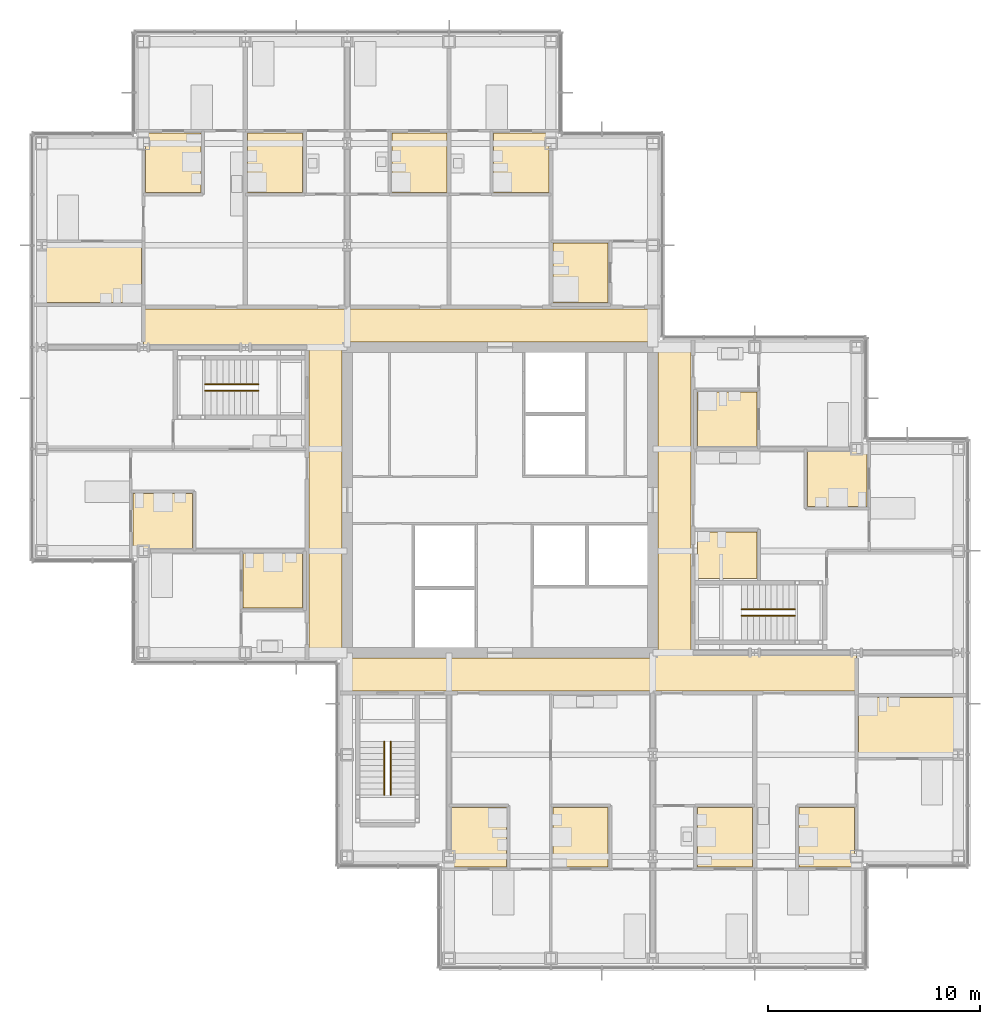
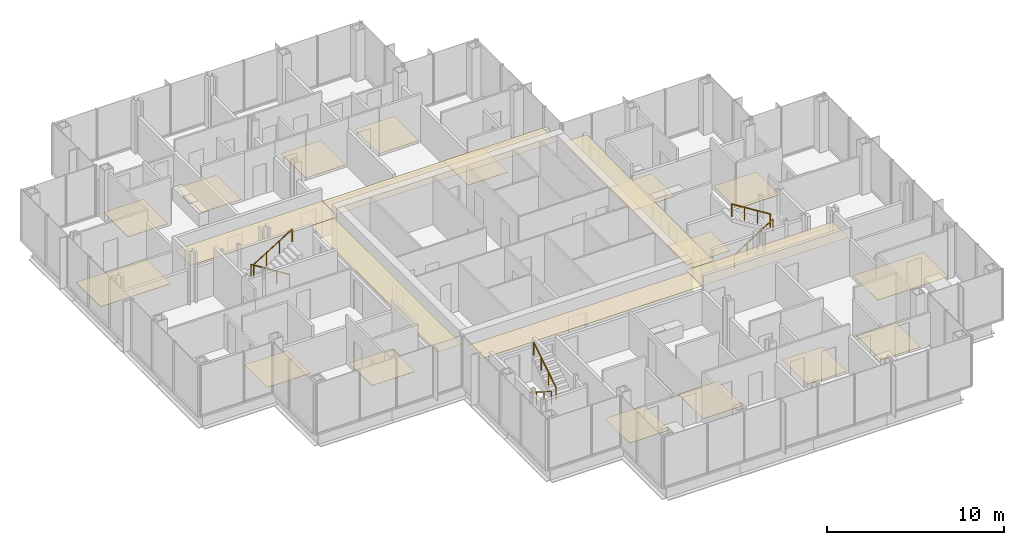
# One storey, part 18 of 20: 22 coverings, 6 railings.
"""IFC4 building model written with IfcOpenShell, lengths in metres."""

import ifcopenshell
import ifcopenshell.guid

model = None  # the IFC model being written
_history = None  # IfcOwnerHistory: only IFC2X3 demands one
_inside = {}  # id of a spatial element -> (the spatial element, [elements in it])
_under = {}  # id of a project, library or spatial element -> (it, [spatial elements below it])
_declared = {}  # id of a project -> (the project, [libraries it declares])
_typed = {}  # id of a type object -> (the type object, [elements of that type])
_made_of = {}  # id of a material, layer set ... -> (it, [elements and type objects made of it])


def new_model(schema):
    """Start an empty IFC model of exactly this schema.

    Asked for "IFC4X3", IfcOpenShell would pick the latest addendum, in which some entities
    have other attributes; the version numbers below select the first issue.
    IFC2X3 requires an IfcOwnerHistory on every rooted entity: one is made here for all.
    """
    global model, _history
    if schema == "IFC4X3":
        model = ifcopenshell.file(schema_version=(4, 3, 0, 0))
    else:
        model = ifcopenshell.file(schema=schema)
    _inside.clear()
    _under.clear()
    _declared.clear()
    _typed.clear()
    _made_of.clear()
    _history = None
    if model.schema == "IFC2X3":
        org = make("IfcOrganization", Name="unknown")
        user = make(
            "IfcPersonAndOrganization",
            ThePerson=make("IfcPerson", FamilyName="unknown"),
            TheOrganization=org,
        )
        app = make(
            "IfcApplication",
            ApplicationDeveloper=org,
            Version="unknown",
            ApplicationFullName="unknown",
            ApplicationIdentifier="unknown",
        )
        _history = make(
            "IfcOwnerHistory",
            OwningUser=user,
            OwningApplication=app,
            ChangeAction="ADDED",
            CreationDate=0,
        )
    return model


def make(cls, **values):
    """One entity of the class cls with the attributes given. An attribute that is None is left unset."""
    return model.create_entity(
        cls, **{name: value for name, value in values.items() if value is not None}
    )


def rooted(cls, **values):
    """An entity with a GlobalId (a new one), such as an element, a storey or a relation."""
    return make(cls, GlobalId=ifcopenshell.guid.new(), OwnerHistory=_history, **values)


def si_unit(unit_type, name, prefix=None):
    """IfcSIUnit, for example si_unit("LENGTHUNIT", "METRE", prefix="MILLI")."""
    return make("IfcSIUnit", UnitType=unit_type, Prefix=prefix, Name=name)


def assignment(units):
    """IfcUnitAssignment: the units of a project."""
    return None if units is None else make("IfcUnitAssignment", Units=units)


def point(xyz):
    """IfcCartesianPoint."""
    return None if xyz is None else make("IfcCartesianPoint", Coordinates=xyz)


def direction(xyz):
    """IfcDirection."""
    return None if xyz is None else make("IfcDirection", DirectionRatios=xyz)


def frame(location, z_axis=None, x_axis=None):
    """IfcAxis2Placement3D, a coordinate frame: its origin and axes. An axis left out is left unset."""
    return make(
        "IfcAxis2Placement3D",
        Location=point(location),
        Axis=direction(z_axis),
        RefDirection=direction(x_axis),
    )


def frame_2d(location, x_axis=None):
    """IfcAxis2Placement2D, a coordinate frame in the plane: its origin and x axis."""
    return make(
        "IfcAxis2Placement2D", Location=point(location), RefDirection=direction(x_axis)
    )


def origin():
    """The frame at (0, 0, 0) with its axes left unset."""
    return frame((0.0, 0.0, 0.0))


def origin_2d():
    """The frame at (0, 0) in the plane with its x axis left unset."""
    return frame_2d((0.0, 0.0))


def place(relative_to, where):
    """IfcLocalPlacement: puts the frame where relative to a parent placement (None: the world)."""
    return make(
        "IfcLocalPlacement", PlacementRelTo=relative_to, RelativePlacement=where
    )


def context(
    kind, dimensions, precision=None, world=None, true_north=None, identifier=None
):
    """IfcGeometricRepresentationContext, for example the 3D "Model" context."""
    return make(
        "IfcGeometricRepresentationContext",
        ContextIdentifier=identifier,
        ContextType=kind,
        CoordinateSpaceDimension=dimensions,
        Precision=precision,
        WorldCoordinateSystem=world,
        TrueNorth=true_north,
    )


def subcontext(parent, identifier, kind, view, scale=None):
    """IfcGeometricRepresentationSubContext, for example "Body" below "Model"."""
    return make(
        "IfcGeometricRepresentationSubContext",
        ContextIdentifier=identifier,
        ContextType=kind,
        ParentContext=parent,
        TargetScale=scale,
        TargetView=view,
    )


def project(units=None, contexts=None):
    """IfcProject with its units and contexts."""
    return rooted(
        "IfcProject",
        Name="project",
        RepresentationContexts=contexts,
        UnitsInContext=assignment(units),
    )


def spatial(cls, under=None, at=None, **own):
    """A site, building, storey or space (cls), placed at a placement, below another one or the project."""
    s = rooted(cls, ObjectPlacement=at, **own)
    if under is not None:
        _under.setdefault(under.id(), (under, []))[1].append(s)
    return s


def polyline(points):
    """IfcPolyline through the points."""
    return make("IfcPolyline", Points=[point(p) for p in points])


def profile(cls, at=None, kind="AREA", **sizes):
    """A parametric profile (cls). Its sizes go by their IFC names, for example OverallWidth=200.0."""
    return make(cls, ProfileType=kind, Position=at, **sizes)


def circle(**sizes):
    """IfcCircleProfileDef."""
    return profile("IfcCircleProfileDef", **sizes)


def outline(outer, holes=None, kind="AREA"):
    """IfcArbitraryClosedProfileDef: a profile drawn as a closed curve; with holes, ...WithVoids."""
    if holes is None:
        return make("IfcArbitraryClosedProfileDef", ProfileType=kind, OuterCurve=outer)
    return make(
        "IfcArbitraryProfileDefWithVoids",
        ProfileType=kind,
        OuterCurve=outer,
        InnerCurves=holes,
    )


def extrude(swept, where, along, depth):
    """IfcExtrudedAreaSolid: the profile swept, set in the frame where, extruded along a direction by depth."""
    return make(
        "IfcExtrudedAreaSolid",
        SweptArea=swept,
        Position=where,
        ExtrudedDirection=direction(along),
        Depth=depth,
    )


def shape(context_of_items, identifier, shape_type, items):
    """IfcShapeRepresentation: the items that make up one representation, for example the "Body"."""
    return make(
        "IfcShapeRepresentation",
        ContextOfItems=context_of_items,
        RepresentationIdentifier=identifier,
        RepresentationType=shape_type,
        Items=items,
    )


def material(Name=None, Category=None):
    """IfcMaterial."""
    return make("IfcMaterial", Name=Name, Category=Category)


def layer(
    of_material, thickness, ventilated=None, Name=None, Category=None, Priority=None
):
    """IfcMaterialLayer: one layer of a wall or slab, of a material (None: an air gap)."""
    return make(
        "IfcMaterialLayer",
        Material=of_material,
        LayerThickness=thickness,
        IsVentilated=ventilated,
        Name=Name,
        Category=Category,
        Priority=Priority,
    )


def layer_set(layers, Name=None):
    """IfcMaterialLayerSet."""
    return make("IfcMaterialLayerSet", MaterialLayers=layers, LayerSetName=Name)


def made_of(thing, what):
    """Note that an element or type object is made of a material, layer set ...; save() writes the relation."""
    if what is not None:
        _made_of.setdefault(what.id(), (what, []))[1].append(thing)
    return thing


def type_object(cls, material=None, **own):
    """A type object (cls), such as IfcWallType, which elements share."""
    return made_of(rooted(cls, **own), material)


def element(
    cls,
    number,
    at=None,
    inside=None,
    cuts=None,
    type_object=None,
    material=None,
    context=None,
    identifier="Body",
    shape_type=None,
    held_by="IfcProductDefinitionShape",
    body=None,
    shapes=None,
    **own,
):
    """One element of the class cls, such as IfcWall. Its Tag is "e" and its number.

    at: its placement. inside: the storey or other place that contains it. cuts: it is an
    opening in that element (IfcRelVoidsElement). A single representation is given by context,
    identifier, shape_type and body (its items); several are given by shapes. held_by: the class
    of the entity that holds the representations. save() writes the other relations.
    """
    e = rooted(cls, Tag="e%d" % number, ObjectPlacement=at, **own)
    if body is not None:
        shapes = [shape(context, identifier, shape_type, body)]
    if shapes is not None:
        e.Representation = make(held_by, Representations=shapes)
    if inside is not None:
        _inside.setdefault(inside.id(), (inside, []))[1].append(e)
    if cuts is not None:
        rooted(
            "IfcRelVoidsElement", RelatingBuildingElement=cuts, RelatedOpeningElement=e
        )
    if type_object is not None:
        _typed.setdefault(type_object.id(), (type_object, []))[1].append(e)
    return made_of(e, material)


def aggregate(whole, parts):
    """IfcRelAggregates: a whole, such as a stair, and the parts it consists of."""
    return rooted("IfcRelAggregates", RelatingObject=whole, RelatedObjects=parts)


def save(model, path):
    """Write the relations noted so far, then the file.

    IfcRelAggregates (storeys below a building ...), IfcRelContainedInSpatialStructure (elements
    in a storey), IfcRelDefinesByType, IfcRelAssociatesMaterial and IfcRelDeclares: one each for
    every whole, place, type object, material and project.
    """
    for whole, parts in _under.values():
        aggregate(whole, parts)
    for where, things in _inside.values():
        rooted(
            "IfcRelContainedInSpatialStructure",
            RelatedElements=things,
            RelatingStructure=where,
        )
    for kind, things in _typed.values():
        rooted("IfcRelDefinesByType", RelatedObjects=things, RelatingType=kind)
    for what, things in _made_of.values():
        rooted("IfcRelAssociatesMaterial", RelatedObjects=things, RelatingMaterial=what)
    for by, libraries in _declared.values():
        rooted("IfcRelDeclares", RelatingContext=by, RelatedDefinitions=libraries)
    model.write(path)


model = new_model("IFC4")

# Units and contexts
model_context = context("Model", 3, precision=1e-05, world=origin(), true_north=direction((0.0, 1.0)))
body_context = subcontext(model_context, "Body", "Model", "MODEL_VIEW")
ifc_project = project(units=[si_unit("LENGTHUNIT", "METRE"), si_unit("AREAUNIT", "SQUARE_METRE"), si_unit("VOLUMEUNIT", "CUBIC_METRE"), si_unit("PLANEANGLEUNIT", "RADIAN"), si_unit("MASSUNIT", "GRAM", prefix="KILO")], contexts=[model_context])

# Site, building, storey
site_placement = place(None, origin())
site = spatial("IfcSite", under=ifc_project, at=site_placement, CompositionType="ELEMENT")
building_placement = place(site_placement, origin())
building = spatial("IfcBuilding", under=site, at=building_placement, Name="Kvirike Care Tower", CompositionType="ELEMENT")
storey_placement = place(building_placement, frame((0.0, 0.0, 115.5)))
storey = spatial("IfcBuildingStorey", under=building, at=storey_placement, Name="L31", CompositionType="ELEMENT", Elevation=115.5)

# Coverings
ifc_material_1 = material(Name="Perforated metal ceiling tile", Category="aluminium")
ifc_layer_1 = layer(ifc_material_1, 0.014892578125)
ifc_layer_set_1 = layer_set([ifc_layer_1], Name="CORRIDOR CEILING 15")
covering_type_1 = type_object("IfcCoveringType", Name="CORRIDOR CEILING 15", PredefinedType="CEILING", material=ifc_layer_set_1)
covering_1_placement = place(storey_placement, frame((0.0, 0.0, 2.5)))
element("IfcCovering", 1, at=covering_1_placement, inside=storey, type_object=covering_type_1, Name="Corridor ceiling L31", PredefinedType="CEILING", context=body_context, shape_type="SweptSolid", body=[
    extrude(outline(polyline([(12.60009765625, 43.199951171875), (14.14990234375, 43.199951171875), (14.14990234375, 28.800048828125), (12.60009765625, 28.800048828125), (12.60009765625, 43.199951171875)])), origin(), (0.0, 0.0, 1.0), 0.014892578125),
])
covering_2_placement = place(storey_placement, frame((0.0, 0.0, 2.5)))
element("IfcCovering", 2, at=covering_2_placement, inside=storey, type_object=covering_type_1, Name="Corridor ceiling L31", PredefinedType="CEILING", context=body_context, shape_type="SweptSolid", body=[
    extrude(outline(polyline([(14.39990234375, 45.0), (14.39990234375, 43.199951171875), (4.800048828125, 43.199951171875), (4.800048828125, 45.0), (14.39990234375, 45.0)])), origin(), (0.0, 0.0, 1.0), 0.014892578125),
])
covering_3_placement = place(storey_placement, frame((0.0, 0.0, 2.5)))
element("IfcCovering", 3, at=covering_3_placement, inside=storey, type_object=covering_type_1, Name="Corridor ceiling L31", PredefinedType="CEILING", context=body_context, shape_type="SweptSolid", body=[
    extrude(outline(polyline([(14.39990234375, 27.0), (14.39990234375, 28.550048828125), (28.800048828125, 28.550048828125), (28.800048828125, 27.0), (14.39990234375, 27.0)])), origin(), (0.0, 0.0, 1.0), 0.014892578125),
])
covering_4_placement = place(storey_placement, frame((0.0, 0.0, 2.5)))
element("IfcCovering", 4, at=covering_4_placement, inside=storey, type_object=covering_type_1, Name="Corridor ceiling L31", PredefinedType="CEILING", context=body_context, shape_type="SweptSolid", body=[
    extrude(outline(polyline([(28.800048828125, 45.0), (28.800048828125, 43.449951171875), (14.39990234375, 43.449951171875), (14.39990234375, 45.0), (28.800048828125, 45.0)])), origin(), (0.0, 0.0, 1.0), 0.014892578125),
])
covering_5_placement = place(storey_placement, frame((0.0, 0.0, 2.5)))
element("IfcCovering", 5, at=covering_5_placement, inside=storey, type_object=covering_type_1, Name="Corridor ceiling L31", PredefinedType="CEILING", context=body_context, shape_type="SweptSolid", body=[
    extrude(outline(polyline([(28.800048828125, 27.0), (28.800048828125, 28.800048828125), (38.39990234375, 28.800048828125), (38.39990234375, 27.0), (28.800048828125, 27.0)])), origin(), (0.0, 0.0, 1.0), 0.014892578125),
])
covering_6_placement = place(storey_placement, frame((0.0, 0.0, 2.5)))
element("IfcCovering", 6, at=covering_6_placement, inside=storey, type_object=covering_type_1, Name="Corridor ceiling L31", PredefinedType="CEILING", context=body_context, shape_type="SweptSolid", body=[
    extrude(outline(polyline([(30.60009765625, 28.800048828125), (29.050048828125, 28.800048828125), (29.050048828125, 43.199951171875), (30.60009765625, 43.199951171875), (30.60009765625, 28.800048828125)])), origin(), (0.0, 0.0, 1.0), 0.014892578125),
])

# Railings
ifc_material_2 = material(Name="Stainless steel handrail", Category="steel")
railing_type = type_object("IfcRailingType", Name="STAIR HANDRAIL 900", PredefinedType="HANDRAIL", material=ifc_material_2)
railing_1_placement = place(storey_placement, frame((10.219970703125, 41.449951171875, 0.175048828125)))
element("IfcRailing", 7, at=railing_1_placement, inside=storey, type_object=railing_type, Name="Stair 1 handrail L31 flight 1", PredefinedType="HANDRAIL", context=body_context, shape_type="SweptSolid", body=[
    extrude(circle(Radius=0.02490234375, at=origin_2d()), frame((0.0, 0.0, 0.875), z_axis=(-0.848007534815, 0.0, 0.529984170421), x_axis=(0.0, -1.0, 0.0)), (0.0, 0.0, 1.0), 2.9716796875),
    extrude(circle(Radius=0.02001953125, at=origin_2d()), origin(), (0.0, 0.0, 1.0), 0.849853515625),
    extrude(circle(Radius=0.02001953125, at=origin_2d()), frame((-0.840087890625, 0.0, 0.52490234375)), (0.0, 0.0, 1.0), 0.849853515625),
    extrude(circle(Radius=0.02001953125, at=origin_2d()), frame((-1.679931640625, 0.0, 1.050048828125)), (0.0, 0.0, 1.0), 0.849853515625),
    extrude(circle(Radius=0.02001953125, at=origin_2d()), frame((-2.52001953125, 0.0, 1.574951171875)), (0.0, 0.0, 1.0), 0.849853515625),
])
for number, where, name in (
    (8, (7.699951171875, 41.14990234375, 1.925048828125), "Stair 1 handrail L31 flight 2"),
    (9, (32.97998046875, 30.550048828125, 0.175048828125), "Stair 2 handrail L31 flight 1"),
):
    element("IfcRailing", number, at=place(storey_placement, frame(where)), inside=storey, type_object=railing_type, Name=name, PredefinedType="HANDRAIL", context=body_context, shape_type="SweptSolid", body=[
        extrude(circle(Radius=0.02490234375, at=origin_2d()), frame((0.0, 0.0, 0.875), z_axis=(0.848007534815, 0.0, 0.529984170421), x_axis=(0.0, 1.0, 0.0)), (0.0, 0.0, 1.0), 2.9716796875),
        extrude(circle(Radius=0.02001953125, at=origin_2d()), origin(), (0.0, 0.0, 1.0), 0.849853515625),
        extrude(circle(Radius=0.02001953125, at=origin_2d()), frame((0.840087890625, 0.0, 0.52490234375)), (0.0, 0.0, 1.0), 0.849853515625),
        extrude(circle(Radius=0.02001953125, at=origin_2d()), frame((1.679931640625, 0.0, 1.050048828125)), (0.0, 0.0, 1.0), 0.849853515625),
        extrude(circle(Radius=0.02001953125, at=origin_2d()), frame((2.52001953125, 0.0, 1.574951171875)), (0.0, 0.0, 1.0), 0.849853515625),
    ])
railing_2_placement = place(storey_placement, frame((35.5, 30.85009765625, 1.925048828125)))
element("IfcRailing", 10, at=railing_2_placement, inside=storey, type_object=railing_type, Name="Stair 2 handrail L31 flight 2", PredefinedType="HANDRAIL", context=body_context, shape_type="SweptSolid", body=[
    extrude(circle(Radius=0.02490234375, at=origin_2d()), frame((0.0, 0.0, 0.875), z_axis=(-0.848007534815, 0.0, 0.529984170421), x_axis=(0.0, -1.0, 0.0)), (0.0, 0.0, 1.0), 2.9716796875),
    extrude(circle(Radius=0.02001953125, at=origin_2d()), origin(), (0.0, 0.0, 1.0), 0.849853515625),
    extrude(circle(Radius=0.02001953125, at=origin_2d()), frame((-0.840087890625, 0.0, 0.52490234375)), (0.0, 0.0, 1.0), 0.849853515625),
    extrude(circle(Radius=0.02001953125, at=origin_2d()), frame((-1.679931640625, 0.0, 1.050048828125)), (0.0, 0.0, 1.0), 0.849853515625),
    extrude(circle(Radius=0.02001953125, at=origin_2d()), frame((-2.52001953125, 0.0, 1.574951171875)), (0.0, 0.0, 1.0), 0.849853515625),
])
railing_3_placement = place(storey_placement, frame((16.14990234375, 24.6201171875, 0.175048828125)))
element("IfcRailing", 11, at=railing_3_placement, inside=storey, type_object=railing_type, Name="Stair 5 handrail L31 flight 1", PredefinedType="HANDRAIL", context=body_context, shape_type="SweptSolid", body=[
    extrude(circle(Radius=0.02490234375, at=origin_2d()), frame((0.0, 0.0, 0.875), z_axis=(0.0, -0.848007534815, 0.529984170421), x_axis=(1.0, 0.0, 0.0)), (0.0, 0.0, 1.0), 2.9716796875),
    extrude(circle(Radius=0.02001953125, at=origin_2d()), origin(), (0.0, 0.0, 1.0), 0.849853515625),
    extrude(circle(Radius=0.02001953125, at=origin_2d()), frame((0.0, -0.840087890625, 0.52490234375)), (0.0, 0.0, 1.0), 0.849853515625),
    extrude(circle(Radius=0.02001953125, at=origin_2d()), frame((0.0, -1.679931640625, 1.050048828125)), (0.0, 0.0, 1.0), 0.849853515625),
    extrude(circle(Radius=0.02001953125, at=origin_2d()), frame((0.0, -2.52001953125, 1.574951171875)), (0.0, 0.0, 1.0), 0.849853515625),
])
railing_4_placement = place(storey_placement, frame((16.449951171875, 22.10009765625, 1.925048828125)))
element("IfcRailing", 12, at=railing_4_placement, inside=storey, type_object=railing_type, Name="Stair 5 handrail L31 flight 2", PredefinedType="HANDRAIL", context=body_context, shape_type="SweptSolid", body=[
    extrude(circle(Radius=0.02490234375, at=origin_2d()), frame((0.0, 0.0, 0.875), z_axis=(0.0, 0.848007534815, 0.529984170421), x_axis=(-1.0, 0.0, 0.0)), (0.0, 0.0, 1.0), 2.9716796875),
    extrude(circle(Radius=0.02001953125, at=origin_2d()), origin(), (0.0, 0.0, 1.0), 0.849853515625),
    extrude(circle(Radius=0.02001953125, at=origin_2d()), frame((0.0, 0.840087890625, 0.52490234375)), (0.0, 0.0, 1.0), 0.849853515625),
    extrude(circle(Radius=0.02001953125, at=origin_2d()), frame((0.0, 1.679931640625, 1.050048828125)), (0.0, 0.0, 1.0), 0.849853515625),
    extrude(circle(Radius=0.02001953125, at=origin_2d()), frame((0.0, 2.52001953125, 1.574951171875)), (0.0, 0.0, 1.0), 0.849853515625),
])

# Coverings
ifc_material_3 = material(Name="Slip-resistant vinyl safety flooring on screed")
ifc_layer_2 = layer(ifc_material_3, 0.02001953125)
ifc_layer_set_2 = layer_set([ifc_layer_2], Name="WET ROOM FLOOR 20")
covering_type_2 = type_object("IfcCoveringType", Name="WET ROOM FLOOR 20", PredefinedType="FLOORING", material=ifc_layer_set_2)
covering_7_placement = place(storey_placement, origin())
element("IfcCovering", 13, at=covering_7_placement, inside=storey, type_object=covering_type_2, Name="En-suite floor L31-005", PredefinedType="FLOORING", context=body_context, shape_type="SweptSolid", body=[
    extrude(outline(polyline([(4.300048828125, 36.300048828125), (7.10009765625, 36.300048828125), (7.10009765625, 33.699951171875), (4.300048828125, 33.699951171875), (4.300048828125, 36.300048828125)])), origin(), (0.0, 0.0, 1.0), 0.02001953125),
])
covering_8_placement = place(storey_placement, origin())
element("IfcCovering", 14, at=covering_8_placement, inside=storey, type_object=covering_type_2, Name="En-suite floor L31-009", PredefinedType="FLOORING", context=body_context, shape_type="SweptSolid", body=[
    extrude(outline(polyline([(9.5, 33.5), (12.300048828125, 33.5), (12.300048828125, 30.89990234375), (9.5, 30.89990234375), (9.5, 33.5)])), origin(), (0.0, 0.0, 1.0), 0.02001953125),
])
covering_9_placement = place(storey_placement, origin())
element("IfcCovering", 15, at=covering_9_placement, inside=storey, type_object=covering_type_2, Name="En-suite floor L31-013", PredefinedType="FLOORING", context=body_context, shape_type="SweptSolid", body=[
    extrude(outline(polyline([(12.300048828125, 53.300048828125), (12.300048828125, 50.5), (9.699951171875, 50.5), (9.699951171875, 53.300048828125), (12.300048828125, 53.300048828125)])), origin(), (0.0, 0.0, 1.0), 0.02001953125),
])
covering_10_placement = place(storey_placement, origin())
element("IfcCovering", 16, at=covering_10_placement, inside=storey, type_object=covering_type_2, Name="En-suite floor L31-018", PredefinedType="FLOORING", context=body_context, shape_type="SweptSolid", body=[
    extrude(outline(polyline([(7.5, 53.300048828125), (7.5, 50.5), (4.89990234375, 50.5), (4.89990234375, 53.300048828125), (7.5, 53.300048828125)])), origin(), (0.0, 0.0, 1.0), 0.02001953125),
])
covering_11_placement = place(storey_placement, origin())
element("IfcCovering", 17, at=covering_11_placement, inside=storey, type_object=covering_type_2, Name="En-suite floor L31-019", PredefinedType="FLOORING", context=body_context, shape_type="SweptSolid", body=[
    extrude(outline(polyline([(4.699951171875, 48.10009765625), (4.699951171875, 45.300048828125), (0.10009765625, 45.300048828125), (0.10009765625, 48.10009765625), (4.699951171875, 48.10009765625)])), origin(), (0.0, 0.0, 1.0), 0.02001953125),
])
covering_12_placement = place(storey_placement, origin())
element("IfcCovering", 18, at=covering_12_placement, inside=storey, type_object=covering_type_2, Name="En-suite floor L31-026", PredefinedType="FLOORING", context=body_context, shape_type="SweptSolid", body=[
    extrude(outline(polyline([(19.300048828125, 18.699951171875), (19.300048828125, 21.5), (21.89990234375, 21.5), (21.89990234375, 18.699951171875), (19.300048828125, 18.699951171875)])), origin(), (0.0, 0.0, 1.0), 0.02001953125),
])
covering_13_placement = place(storey_placement, origin())
element("IfcCovering", 19, at=covering_13_placement, inside=storey, type_object=covering_type_2, Name="En-suite floor L31-027", PredefinedType="FLOORING", context=body_context, shape_type="SweptSolid", body=[
    extrude(outline(polyline([(24.10009765625, 18.699951171875), (24.10009765625, 21.5), (26.699951171875, 21.5), (26.699951171875, 18.699951171875), (24.10009765625, 18.699951171875)])), origin(), (0.0, 0.0, 1.0), 0.02001953125),
])
covering_14_placement = place(storey_placement, origin())
element("IfcCovering", 20, at=covering_14_placement, inside=storey, type_object=covering_type_2, Name="Assisted bathroom floor L31-032", PredefinedType="FLOORING", context=body_context, shape_type="SweptSolid", body=[
    extrude(outline(polyline([(26.699951171875, 48.10009765625), (26.699951171875, 45.300048828125), (24.10009765625, 45.300048828125), (24.10009765625, 48.10009765625), (26.699951171875, 48.10009765625)])), origin(), (0.0, 0.0, 1.0), 0.02001953125),
])
covering_15_placement = place(storey_placement, origin())
element("IfcCovering", 21, at=covering_15_placement, inside=storey, type_object=covering_type_2, Name="En-suite floor L31-035", PredefinedType="FLOORING", context=body_context, shape_type="SweptSolid", body=[
    extrude(outline(polyline([(23.89990234375, 53.300048828125), (23.89990234375, 50.5), (21.300048828125, 50.5), (21.300048828125, 53.300048828125), (23.89990234375, 53.300048828125)])), origin(), (0.0, 0.0, 1.0), 0.02001953125),
])
covering_16_placement = place(storey_placement, origin())
element("IfcCovering", 22, at=covering_16_placement, inside=storey, type_object=covering_type_2, Name="En-suite floor L31-039", PredefinedType="FLOORING", context=body_context, shape_type="SweptSolid", body=[
    extrude(outline(polyline([(19.10009765625, 53.300048828125), (19.10009765625, 50.5), (16.5, 50.5), (16.5, 53.300048828125), (19.10009765625, 53.300048828125)])), origin(), (0.0, 0.0, 1.0), 0.02001953125),
])
covering_17_placement = place(storey_placement, origin())
element("IfcCovering", 23, at=covering_17_placement, inside=storey, type_object=covering_type_2, Name="En-suite floor L31-044", PredefinedType="FLOORING", context=body_context, shape_type="SweptSolid", body=[
    extrude(outline(polyline([(30.89990234375, 18.699951171875), (30.89990234375, 21.5), (33.5, 21.5), (33.5, 18.699951171875), (30.89990234375, 18.699951171875)])), origin(), (0.0, 0.0, 1.0), 0.02001953125),
])
covering_18_placement = place(storey_placement, origin())
element("IfcCovering", 24, at=covering_18_placement, inside=storey, type_object=covering_type_2, Name="En-suite floor L31-049", PredefinedType="FLOORING", context=body_context, shape_type="SweptSolid", body=[
    extrude(outline(polyline([(35.699951171875, 18.699951171875), (35.699951171875, 21.5), (38.300048828125, 21.5), (38.300048828125, 18.699951171875), (35.699951171875, 18.699951171875)])), origin(), (0.0, 0.0, 1.0), 0.02001953125),
])
covering_19_placement = place(storey_placement, origin())
element("IfcCovering", 25, at=covering_19_placement, inside=storey, type_object=covering_type_2, Name="En-suite floor L31-050", PredefinedType="FLOORING", context=body_context, shape_type="SweptSolid", body=[
    extrude(outline(polyline([(38.5, 23.89990234375), (38.5, 26.699951171875), (43.10009765625, 26.699951171875), (43.10009765625, 23.89990234375), (38.5, 23.89990234375)])), origin(), (0.0, 0.0, 1.0), 0.02001953125),
])
covering_20_placement = place(storey_placement, origin())
element("IfcCovering", 26, at=covering_20_placement, inside=storey, type_object=covering_type_2, Name="Accessible WC floor L31-056", PredefinedType="FLOORING", context=body_context, shape_type="SweptSolid", body=[
    extrude(outline(polyline([(33.699951171875, 32.300048828125), (30.89990234375, 32.300048828125), (30.89990234375, 34.5), (33.699951171875, 34.5), (33.699951171875, 32.300048828125)])), origin(), (0.0, 0.0, 1.0), 0.02001953125),
])
covering_21_placement = place(storey_placement, origin())
element("IfcCovering", 27, at=covering_21_placement, inside=storey, type_object=covering_type_2, Name="En-suite floor L31-057", PredefinedType="FLOORING", context=body_context, shape_type="SweptSolid", body=[
    extrude(outline(polyline([(38.89990234375, 35.699951171875), (36.10009765625, 35.699951171875), (36.10009765625, 38.300048828125), (38.89990234375, 38.300048828125), (38.89990234375, 35.699951171875)])), origin(), (0.0, 0.0, 1.0), 0.02001953125),
])
covering_22_placement = place(storey_placement, origin())
element("IfcCovering", 28, at=covering_22_placement, inside=storey, type_object=covering_type_2, Name="En-suite floor L31-060", PredefinedType="FLOORING", context=body_context, shape_type="SweptSolid", body=[
    extrude(outline(polyline([(33.699951171875, 38.5), (30.89990234375, 38.5), (30.89990234375, 41.10009765625), (33.699951171875, 41.10009765625), (33.699951171875, 38.5)])), origin(), (0.0, 0.0, 1.0), 0.02001953125),
])

save(model, "model.ifc")
